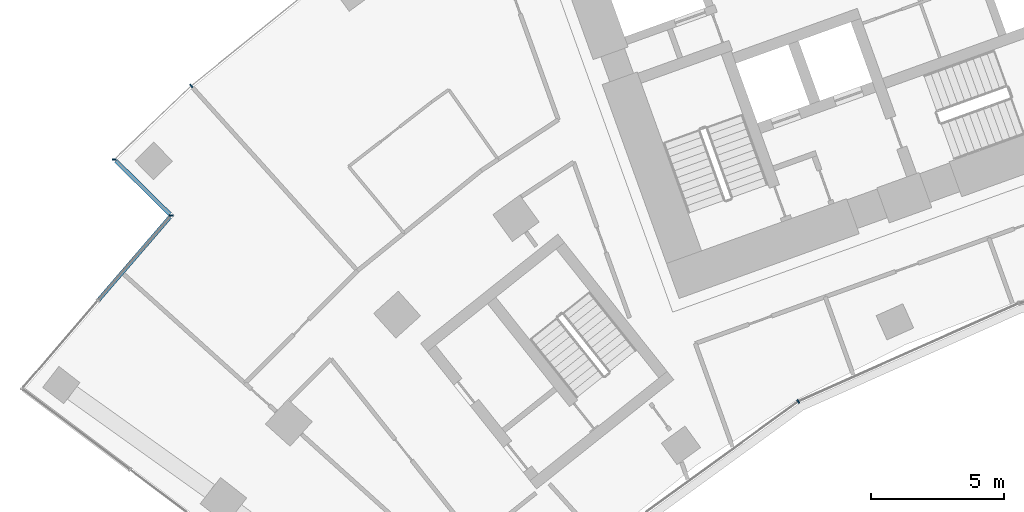
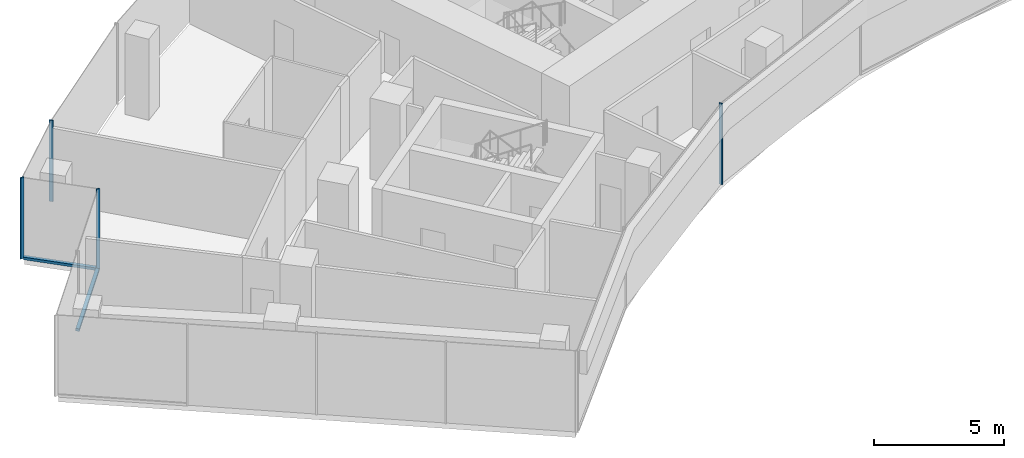
# One storey, part 3 of 21: 6 members, 4 elements without a shape of their own.
"""IFC4 building model written with IfcOpenShell, lengths in metres."""

from ifc_helpers import new_model, si_unit, direction, frame, origin, origin_2d, place, context, subcontext, project, spatial, rectangle, extrude, material, layer, layer_set, material_profile, profile_set, type_object, element, aggregate, save


model = new_model("IFC4")

# Units and contexts
model_context = context("Model", 3, precision=1e-05, world=origin(), true_north=direction((0.0, 1.0)))
body_context = subcontext(model_context, "Body", "Model", "MODEL_VIEW")
ifc_project = project(units=[si_unit("LENGTHUNIT", "METRE"), si_unit("AREAUNIT", "SQUARE_METRE"), si_unit("VOLUMEUNIT", "CUBIC_METRE"), si_unit("PLANEANGLEUNIT", "RADIAN"), si_unit("MASSUNIT", "GRAM", prefix="KILO")], contexts=[model_context])

# Site, building, storey
site_placement = place(None, origin())
site = spatial("IfcSite", under=ifc_project, at=site_placement, CompositionType="ELEMENT")
building_placement = place(site_placement, origin())
building = spatial("IfcBuilding", under=site, at=building_placement, Name="Stone Belt Terrace Tower", CompositionType="ELEMENT")
storey_placement = place(building_placement, frame((0.0, 0.0, 163.0)))
storey = spatial("IfcBuildingStorey", under=building, at=storey_placement, Name="L39", CompositionType="ELEMENT", Elevation=163.0)

# Curtain wall, member
ifc_material = material(Name="Aluminium 6063-T6 anodised frame", Category="aluminium")
ifc_layer_1 = layer(ifc_material, 0.14990234375)
ifc_layer_set_1 = layer_set([ifc_layer_1], Name="CW-A unitised convex-face curtain wall")
curtain_wall_type_1 = type_object("IfcCurtainWallType", Name="CW-A unitised convex-face curtain wall", PredefinedType="NOTDEFINED", material=ifc_layer_set_1)
curtain_wall_1_placement = place(storey_placement, origin())
curtain_wall_1 = element("IfcCurtainWall", 1, at=curtain_wall_1_placement, inside=storey, type_object=curtain_wall_type_1, Name="CW-A convex face L39", PredefinedType="NOTDEFINED")
ifc_material_profile_1 = material_profile(ifc_material, rectangle(XDim=0.14990234375, YDim=0.06005859375, at=origin_2d()), Name="Aluminium 6063-T6 60x150")
ifc_profile_set_1 = profile_set([ifc_material_profile_1], Name="Aluminium 6063-T6 anodised frame")
member_type_1 = type_object("IfcMemberType", Name="CW-A mullion 60 x 150", PredefinedType="MULLION", material=ifc_profile_set_1)
member_1_placement = place(storey_placement, frame((-44.546875, 49.4755859375, 0.0), z_axis=(0.0, 0.0, 1.0), x_axis=(0.660573481499, -0.75076139721, 0.0)))
member_1 = element("IfcMember", 2, at=member_1_placement, type_object=member_type_1, Name="CW-A mullion 16", PredefinedType="MULLION", context=body_context, shape_type="SweptSolid", body=[
    extrude(rectangle(XDim=0.14990234375, YDim=0.06005859375, at=origin_2d()), origin(), (0.0, 0.0, 1.0), 3.800048828125),
])
aggregate(curtain_wall_1, [member_1])

ifc_layer_2 = layer(ifc_material, 0.14990234375)
ifc_layer_set_2 = layer_set([ifc_layer_2], Name="CW-B unitised concave-face curtain wall")
curtain_wall_type_2 = type_object("IfcCurtainWallType", Name="CW-B unitised concave-face curtain wall", PredefinedType="NOTDEFINED", material=ifc_layer_set_2)
curtain_wall_2_placement = place(storey_placement, origin())
curtain_wall_2 = element("IfcCurtainWall", 3, at=curtain_wall_2_placement, inside=storey, type_object=curtain_wall_type_2, Name="CW-B concave face L39", PredefinedType="NOTDEFINED")
ifc_material_profile_2 = material_profile(ifc_material, rectangle(XDim=0.14990234375, YDim=0.050048828125, at=origin_2d()), Name="Aluminium 6063-T6 50x150")
ifc_profile_set_2 = profile_set([ifc_material_profile_2], Name="Aluminium 6063-T6 anodised frame")
member_type_2 = type_object("IfcMemberType", Name="CW-B mullion 50 x 150", PredefinedType="MULLION", material=ifc_profile_set_2)
member_2_placement = place(storey_placement, frame((-21.71240234375, 37.606689453125, 0.0), z_axis=(0.0, 0.0, 1.0), x_axis=(-0.5, 0.866025403784, 0.0)))
member_2 = element("IfcMember", 4, at=member_2_placement, type_object=member_type_2, Name="CW-B mullion 3", PredefinedType="MULLION", context=body_context, shape_type="SweptSolid", body=[
    extrude(rectangle(XDim=0.14990234375, YDim=0.050048828125, at=origin_2d()), origin(), (0.0, 0.0, 1.0), 3.800048828125),
])
aggregate(curtain_wall_2, [member_2])

ifc_layer_3 = layer(ifc_material, 0.14990234375)
ifc_layer_set_3 = layer_set([ifc_layer_3], Name="CW-C stick curtain wall, horn ends and notches")
curtain_wall_type_3 = type_object("IfcCurtainWallType", Name="CW-C stick curtain wall, horn ends and notches", PredefinedType="NOTDEFINED", material=ifc_layer_set_3)
curtain_wall_3_placement = place(storey_placement, origin())
curtain_wall_3 = element("IfcCurtainWall", 5, at=curtain_wall_3_placement, inside=storey, type_object=curtain_wall_type_3, Name="CW-C notch face L39", PredefinedType="NOTDEFINED")
ifc_material_profile_3 = material_profile(ifc_material, rectangle(XDim=0.14990234375, YDim=0.06005859375, at=origin_2d()), Name="Aluminium 6063-T6 60x150")
ifc_profile_set_3 = profile_set([ifc_material_profile_3], Name="Aluminium 6063-T6 anodised frame")
member_type_3 = type_object("IfcMemberType", Name="CW-C mullion 60 x 150", PredefinedType="MULLION", material=ifc_profile_set_3)
member_3_placement = place(storey_placement, frame((-47.4365234375, 46.715087890625, 0.0), z_axis=(0.0, 0.0, 1.0), x_axis=(0.999966480105, -0.008187714406, 0.0)))
member_3 = element("IfcMember", 6, at=member_3_placement, type_object=member_type_3, Name="CW-C mullion 1", PredefinedType="MULLION", context=body_context, shape_type="SweptSolid", body=[
    extrude(rectangle(XDim=0.14990234375, YDim=0.06005859375, at=origin_2d()), origin(), (0.0, 0.0, 1.0), 3.800048828125),
])

curtain_wall_4_placement = place(storey_placement, origin())
curtain_wall_4 = element("IfcCurtainWall", 7, at=curtain_wall_4_placement, inside=storey, type_object=curtain_wall_type_3, Name="CW-C notch face L39", PredefinedType="NOTDEFINED")
member_4_placement = place(storey_placement, frame((-45.29638671875, 44.602783203125, 0.0), z_axis=(0.0, 0.0, 1.0), x_axis=(0.999185209744, 0.040359839301, 0.0)))
member_4 = element("IfcMember", 8, at=member_4_placement, type_object=member_type_3, Name="CW-C mullion 1", PredefinedType="MULLION", context=body_context, shape_type="SweptSolid", body=[
    extrude(rectangle(XDim=0.14990234375, YDim=0.06005859375, at=origin_2d()), origin(), (0.0, 0.0, 1.0), 3.800048828125),
])

# Member
ifc_material_profile_4 = material_profile(ifc_material, rectangle(XDim=0.14990234375, YDim=0.1201171875, at=origin_2d()), Name="Aluminium 6063-T6 150x120")
ifc_profile_set_4 = profile_set([ifc_material_profile_4], Name="Aluminium 6063-T6 anodised frame")
member_type_4 = type_object("IfcMemberType", Name="CW-C transom 120 x 150", PredefinedType="USERDEFINED", material=ifc_profile_set_4)
member_5_placement = place(storey_placement, frame((-47.383544921875, 46.66259765625, 0.06005859375), z_axis=(0.711744791626, -0.702438147877, 0.0), x_axis=(0.702438147877, 0.711744791626, 0.0)))
member_5 = element("IfcMember", 9, at=member_5_placement, type_object=member_type_4, Name="CW-C transom 1.1", ObjectType="TRANSOM", PredefinedType="USERDEFINED", context=body_context, shape_type="SweptSolid", body=[
    extrude(rectangle(XDim=0.14990234375, YDim=0.1201171875, at=origin_2d()), origin(), (0.0, 0.0, 1.0), 2.859375),
])

aggregate(curtain_wall_3, [member_3, member_5])

member_6_placement = place(storey_placement, frame((-45.343994140625, 44.54736328125, 0.06005859375), z_axis=(-0.652755588772, -0.757568572029, 0.0), x_axis=(0.757568572029, -0.652755588772, 0.0)))
member_6 = element("IfcMember", 10, at=member_6_placement, type_object=member_type_4, Name="CW-C transom 1.1", ObjectType="TRANSOM", PredefinedType="USERDEFINED", context=body_context, shape_type="SweptSolid", body=[
    extrude(rectangle(XDim=0.14990234375, YDim=0.1201171875, at=origin_2d()), origin(), (0.0, 0.0, 1.0), 4.12060546875),
])

aggregate(curtain_wall_4, [member_4, member_6])

save(model, "model.ifc")
